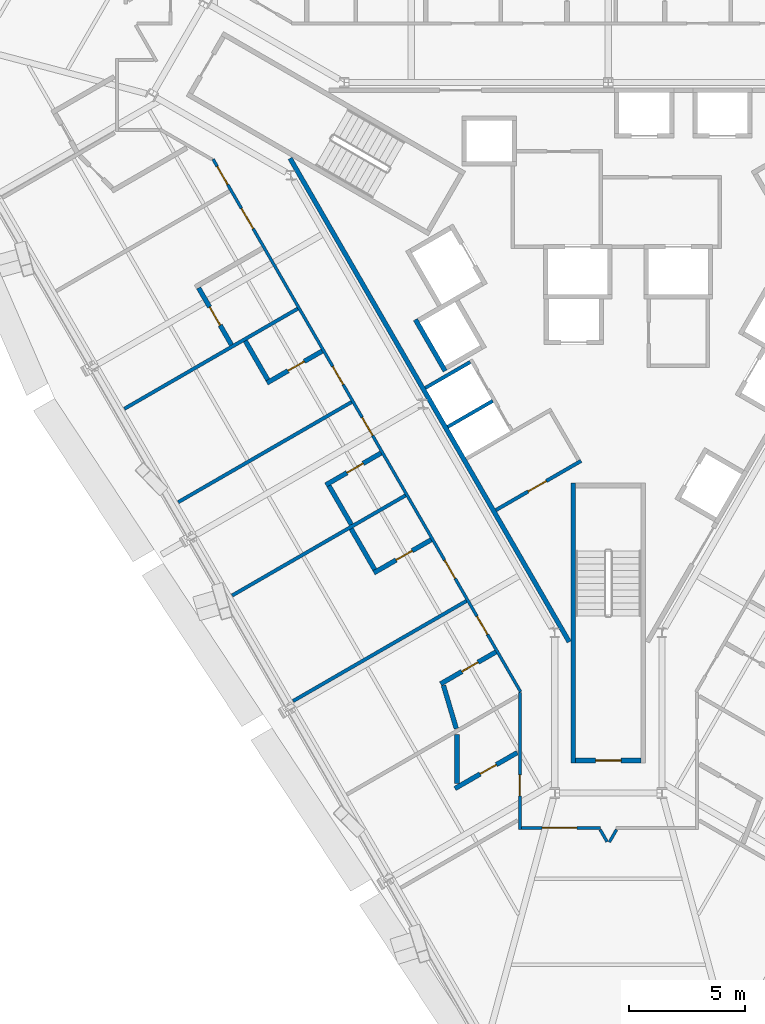
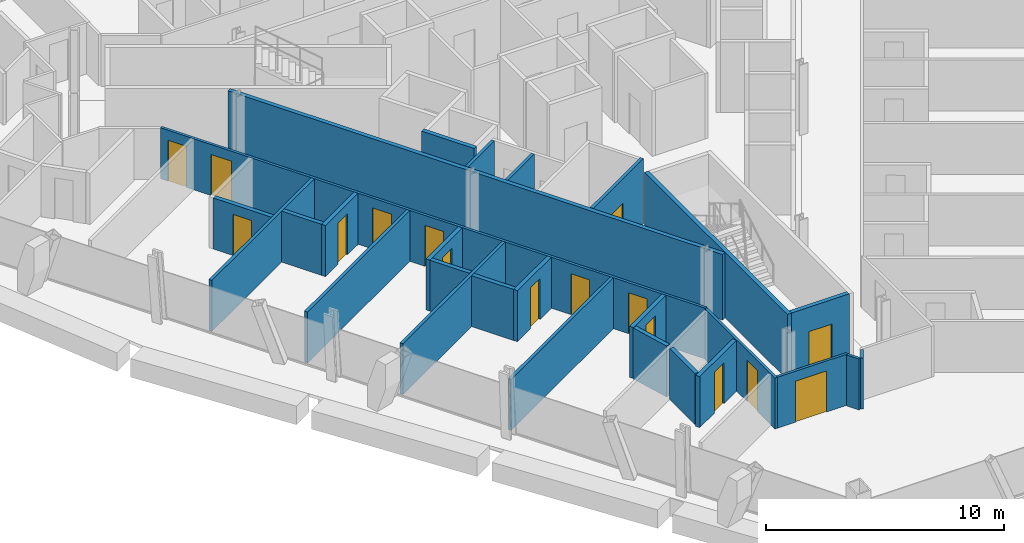
# One storey, part 8 of 15: 27 walls, 16 doors, 16 openings.
"""IFC4 building model written with IfcOpenShell, lengths in metres."""

from ifc_helpers import new_model, si_unit, direction, frame, frame_2d, origin, place, context, subcontext, project, spatial, rectangle, extrude, material, layer, layer_set, type_object, element, fill, save


model = new_model("IFC4")

# Units and contexts
model_context = context("Model", 3, precision=1e-05, world=origin(), true_north=direction((0.0, 1.0)))
body_context = subcontext(model_context, "Body", "Model", "MODEL_VIEW")
ifc_project = project(units=[si_unit("LENGTHUNIT", "METRE"), si_unit("AREAUNIT", "SQUARE_METRE"), si_unit("VOLUMEUNIT", "CUBIC_METRE"), si_unit("PLANEANGLEUNIT", "RADIAN"), si_unit("MASSUNIT", "GRAM", prefix="KILO")], contexts=[model_context])

# Site, building, storey
site_placement = place(None, origin())
site = spatial("IfcSite", under=ifc_project, at=site_placement, CompositionType="ELEMENT")
building_placement = place(site_placement, origin())
building = spatial("IfcBuilding", under=site, at=building_placement, Name="Verrane Prism Tower", CompositionType="ELEMENT")
storey_placement = place(building_placement, frame((0.0, 0.0, 44.0)))
storey = spatial("IfcBuildingStorey", under=building, at=storey_placement, Name="L08", CompositionType="ELEMENT", Elevation=44.0)

# Wall
ifc_material_1 = material(Name="Gypsum board partition", Category="other")
ifc_layer_1 = layer(ifc_material_1, 0.199951171875)
ifc_layer_set_1 = layer_set([ifc_layer_1], Name="CW-200 core boundary wall 2 h")
wall_type_1 = type_object("IfcWallType", Name="CW-200 core boundary wall 2 h", PredefinedType="PARTITIONING", material=ifc_layer_set_1)
wall_1_placement = place(storey_placement, frame((-13.66357421875, 5.946044921875, 0.0), z_axis=(0.0, 0.0, 1.0), x_axis=(0.499994327219, -0.866028678941, 0.0)))
element("IfcWall", 1, at=wall_1_placement, inside=storey, type_object=wall_type_1, Name="Core boundary wall CW3-008", PredefinedType="PARTITIONING", context=body_context, shape_type="SweptSolid", body=[
    extrude(rectangle(XDim=23.967529296875, YDim=0.199951171875, at=frame_2d((11.98388671875, 0.0))), origin(), (0.0, 0.0, 1.0), 3.35009765625),
])

# Wall, opening, door
ifc_material_2 = material(Name="Concrete C40/50", Category="concrete")
ifc_layer_2 = layer(ifc_material_2, 0.199951171875)
ifc_layer_set_2 = layer_set([ifc_layer_2], Name="CW-200 stair core wall concrete C40/50 3 h")
wall_type_2 = type_object("IfcWallType", Name="CW-200 stair core wall concrete C40/50 3 h", PredefinedType="PARTITIONING", material=ifc_layer_set_2)
wall_2_placement = place(storey_placement, frame((-1.39990234375, -19.89990234375, 0.0), z_axis=(0.0, 0.0, 1.0), x_axis=(1.0, 0.0, 0.0)))
wall_2 = element("IfcWall", 2, at=wall_2_placement, inside=storey, type_object=wall_type_2, Name="Stair 3 enclosure wall", PredefinedType="PARTITIONING", context=body_context, shape_type="SweptSolid", body=[
    extrude(rectangle(XDim=2.7998046875, YDim=0.199951171875, at=frame_2d((1.39990234375, 0.0))), origin(), (0.0, 0.0, 1.0), 3.35009765625),
])
opening_1_placement = place(wall_2_placement, frame((0.85009765625, 0.0, 0.0)))
opening_1 = element("IfcOpeningElement", 3, at=opening_1_placement, cuts=wall_2, Name="Opening D06502", PredefinedType="OPENING", context=body_context, shape_type="SweptSolid", body=[
    extrude(rectangle(XDim=1.10009765625, YDim=2.10009765625, at=frame_2d((0.550048828125, 1.050048828125))), frame((0.0, 0.10986328125, 0.0), z_axis=(0.0, -1.0, 0.0), x_axis=(1.0, 0.0, 0.0)), (0.0, 0.0, 1.0), 0.219970703125),
])
ifc_material_3 = material(Name="Timber veneered door leaf", Category="wood")
door_type_1 = type_object("IfcDoorType", Name="DR-1100x2100 FD90 single leaf stair", OperationType="NOTDEFINED", PredefinedType="DOOR", material=ifc_material_3)
door_1_placement = place(opening_1_placement, origin())
door_1 = element("IfcDoor", 4, at=door_1_placement, inside=storey, type_object=door_type_1, Name="Stair 3 door", OperationType="SINGLE_SWING_LEFT", OverallHeight=2.10009765625, OverallWidth=1.10009765625, PredefinedType="DOOR", context=body_context, shape_type="SweptSolid", body=[
    extrude(rectangle(XDim=1.10009765625, YDim=2.10009765625, at=frame_2d((0.550048828125, 1.050048828125))), frame((0.0, 0.02490234375, 0.0), z_axis=(0.0, -1.0, 0.0), x_axis=(1.0, 0.0, 0.0)), (0.0, 0.0, 1.0), 0.050048828125),
])
fill(opening_1, door_1)

# Walls
wall_3_placement = place(storey_placement, frame((-1.5, -8.0, 0.0), z_axis=(0.0, 0.0, 1.0), x_axis=(0.0, -1.0, 0.0)))
element("IfcWall", 5, at=wall_3_placement, inside=storey, type_object=wall_type_2, Name="Stair 3 enclosure wall", PredefinedType="PARTITIONING", context=body_context, shape_type="SweptSolid", body=[
    extrude(rectangle(XDim=12.0, YDim=0.199951171875, at=frame_2d((6.0, 0.0))), origin(), (0.0, 0.0, 1.0), 3.35009765625),
])
ifc_material_4 = material(Name="Gypsum board shaft wall assembly", Category="other")
ifc_layer_3 = layer(ifc_material_4, 0.199951171875)
ifc_layer_set_3 = layer_set([ifc_layer_3], Name="HW-200 lift shaft wall 2 h")
wall_type_3 = type_object("IfcWallType", Name="HW-200 lift shaft wall 2 h", PredefinedType="PARTITIONING", material=ifc_layer_set_3)
wall_4_placement = place(storey_placement, frame((-7.00634765625, -3.184814453125, 0.0), z_axis=(0.0, 0.0, 1.0), x_axis=(-0.499990435942, 0.866030925526, 0.0)))
element("IfcWall", 6, at=wall_4_placement, inside=storey, type_object=wall_type_3, Name="Lift shaft wall", PredefinedType="PARTITIONING", context=body_context, shape_type="SweptSolid", body=[
    extrude(rectangle(XDim=2.5498046875, YDim=0.199951171875, at=frame_2d((1.27490234375, 0.0))), origin(), (0.0, 0.0, 1.0), 3.60009765625),
])

# Wall, openings, doors
ifc_material_5 = material(Name="Gypsum board partition", Category="other")
ifc_layer_4 = layer(ifc_material_5, 0.125)
ifc_layer_set_4 = layer_set([ifc_layer_4], Name="PW-125 corridor wall 1 h")
wall_type_4 = type_object("IfcWallType", Name="PW-125 corridor wall 1 h", PredefinedType="PARTITIONING", material=ifc_layer_set_4)
wall_5_placement = place(storey_placement, frame((-3.765869140625, -16.9580078125, 0.0), z_axis=(0.0, 0.0, 1.0), x_axis=(-0.500024758804, 0.866011108811, 0.0)))
wall_5 = element("IfcWall", 7, at=wall_5_placement, inside=storey, type_object=wall_type_4, Name="Corridor wall 023", PredefinedType="PARTITIONING", context=body_context, shape_type="SweptSolid", body=[
    extrude(rectangle(XDim=26.401611328125, YDim=0.125, at=frame_2d((13.20068359375, 0.0))), origin(), (0.0, 0.0, 1.0), 2.613037109375),
])
opening_2_placement = place(wall_5_placement, frame((25.13916015625, 0.0, 0.0)))
opening_2 = element("IfcOpeningElement", 8, at=opening_2_placement, cuts=wall_5, Name="Opening D06019", PredefinedType="OPENING", context=body_context, shape_type="SweptSolid", body=[
    extrude(rectangle(XDim=0.89990234375, YDim=2.10009765625, at=frame_2d((0.449951171875, 1.050048828125))), frame((0.0, 0.072509765625, 0.0), z_axis=(0.0, -1.0, 0.0), x_axis=(1.0, 0.0, 0.0)), (0.0, 0.0, 1.0), 0.14501953125),
])
opening_3_placement = place(wall_5_placement, frame((22.96337890625, 0.0, 0.0)))
opening_3 = element("IfcOpeningElement", 9, at=opening_3_placement, cuts=wall_5, Name="Opening D06021", PredefinedType="OPENING", context=body_context, shape_type="SweptSolid", body=[
    extrude(rectangle(XDim=1.0, YDim=2.10009765625, at=frame_2d((0.5, 1.050048828125))), frame((0.0, 0.072509765625, 0.0), z_axis=(0.0, -1.0, 0.0), x_axis=(1.0, 0.0, 0.0)), (0.0, 0.0, 1.0), 0.14501953125),
])
opening_4_placement = place(wall_5_placement, frame((15.228271484375, 0.0, 0.0)))
opening_4 = element("IfcOpeningElement", 10, at=opening_4_placement, cuts=wall_5, Name="Opening D06023", PredefinedType="OPENING", context=body_context, shape_type="SweptSolid", body=[
    extrude(rectangle(XDim=0.89990234375, YDim=2.10009765625, at=frame_2d((0.449951171875, 1.050048828125))), frame((0.0, 0.072509765625, 0.0), z_axis=(0.0, -1.0, 0.0), x_axis=(1.0, 0.0, 0.0)), (0.0, 0.0, 1.0), 0.14501953125),
])
opening_5_placement = place(wall_5_placement, frame((12.702392578125, 0.0, 0.0)))
opening_5 = element("IfcOpeningElement", 11, at=opening_5_placement, cuts=wall_5, Name="Opening D06025", PredefinedType="OPENING", context=body_context, shape_type="SweptSolid", body=[
    extrude(rectangle(XDim=0.89990234375, YDim=2.10009765625, at=frame_2d((0.449951171875, 1.050048828125))), frame((0.0, 0.072509765625, 0.0), z_axis=(0.0, -1.0, 0.0), x_axis=(1.0, 0.0, 0.0)), (0.0, 0.0, 1.0), 0.14501953125),
])
opening_6_placement = place(wall_5_placement, frame((5.624267578125, 0.0, 0.0)))
opening_6 = element("IfcOpeningElement", 12, at=opening_6_placement, cuts=wall_5, Name="Opening D06027", PredefinedType="OPENING", context=body_context, shape_type="SweptSolid", body=[
    extrude(rectangle(XDim=0.89990234375, YDim=2.10009765625, at=frame_2d((0.449951171875, 1.050048828125))), frame((0.0, 0.072509765625, 0.0), z_axis=(0.0, -1.0, 0.0), x_axis=(1.0, 0.0, 0.0)), (0.0, 0.0, 1.0), 0.14501953125),
])
opening_7_placement = place(wall_5_placement, frame((2.84326171875, 0.0, 0.0)))
opening_7 = element("IfcOpeningElement", 13, at=opening_7_placement, cuts=wall_5, Name="Opening D06029", PredefinedType="OPENING", context=body_context, shape_type="SweptSolid", body=[
    extrude(rectangle(XDim=0.89990234375, YDim=2.10009765625, at=frame_2d((0.449951171875, 1.050048828125))), frame((0.0, 0.072509765625, 0.0), z_axis=(0.0, -1.0, 0.0), x_axis=(1.0, 0.0, 0.0)), (0.0, 0.0, 1.0), 0.14501953125),
])
ifc_material_6 = material(Name="Timber veneered door leaf", Category="wood")
door_type_2 = type_object("IfcDoorType", Name="DR-1000x2100 FD20 single leaf unit", OperationType="NOTDEFINED", PredefinedType="DOOR", material=ifc_material_6)
door_2_placement = place(opening_3_placement, origin())
door_2 = element("IfcDoor", 14, at=door_2_placement, inside=storey, type_object=door_type_2, Name="Accessible Guest Room door", OperationType="SINGLE_SWING_RIGHT", OverallHeight=2.10009765625, OverallWidth=1.0, PredefinedType="DOOR", context=body_context, shape_type="SweptSolid", body=[
    extrude(rectangle(XDim=1.0, YDim=2.10009765625, at=frame_2d((0.5, 1.050048828125))), frame((0.0, 0.02490234375, 0.0), z_axis=(0.0, -1.0, 0.0), x_axis=(1.0, 0.0, 0.0)), (0.0, 0.0, 1.0), 0.050048828125),
])
fill(opening_3, door_2)
ifc_material_7 = material(Name="Timber veneered door leaf", Category="wood")
door_type_3 = type_object("IfcDoorType", Name="DR-900x2100 FD20 single leaf unit", OperationType="NOTDEFINED", PredefinedType="DOOR", material=ifc_material_7)
door_3_placement = place(opening_2_placement, origin())
door_3 = element("IfcDoor", 15, at=door_3_placement, inside=storey, type_object=door_type_3, Name="Guest Room door", OperationType="SINGLE_SWING_RIGHT", OverallHeight=2.10009765625, OverallWidth=0.89990234375, PredefinedType="DOOR", context=body_context, shape_type="SweptSolid", body=[
    extrude(rectangle(XDim=0.89990234375, YDim=2.10009765625, at=frame_2d((0.449951171875, 1.050048828125))), frame((0.0, 0.02490234375, 0.0), z_axis=(0.0, -1.0, 0.0), x_axis=(1.0, 0.0, 0.0)), (0.0, 0.0, 1.0), 0.050048828125),
])
fill(opening_2, door_3)
door_4_placement = place(opening_4_placement, origin())
door_4 = element("IfcDoor", 16, at=door_4_placement, inside=storey, type_object=door_type_3, Name="Guest Room door", OperationType="SINGLE_SWING_RIGHT", OverallHeight=2.10009765625, OverallWidth=0.89990234375, PredefinedType="DOOR", context=body_context, shape_type="SweptSolid", body=[
    extrude(rectangle(XDim=0.89990234375, YDim=2.10009765625, at=frame_2d((0.449951171875, 1.050048828125))), frame((0.0, 0.02490234375, 0.0), z_axis=(0.0, -1.0, 0.0), x_axis=(1.0, 0.0, 0.0)), (0.0, 0.0, 1.0), 0.050048828125),
])
fill(opening_4, door_4)
door_5_placement = place(opening_5_placement, origin())
door_5 = element("IfcDoor", 17, at=door_5_placement, inside=storey, type_object=door_type_3, Name="Guest Room door", OperationType="SINGLE_SWING_RIGHT", OverallHeight=2.10009765625, OverallWidth=0.89990234375, PredefinedType="DOOR", context=body_context, shape_type="SweptSolid", body=[
    extrude(rectangle(XDim=0.89990234375, YDim=2.10009765625, at=frame_2d((0.449951171875, 1.050048828125))), frame((0.0, 0.02490234375, 0.0), z_axis=(0.0, -1.0, 0.0), x_axis=(1.0, 0.0, 0.0)), (0.0, 0.0, 1.0), 0.050048828125),
])
fill(opening_5, door_5)
door_6_placement = place(opening_6_placement, origin())
door_6 = element("IfcDoor", 18, at=door_6_placement, inside=storey, type_object=door_type_3, Name="Guest Room door", OperationType="SINGLE_SWING_RIGHT", OverallHeight=2.10009765625, OverallWidth=0.89990234375, PredefinedType="DOOR", context=body_context, shape_type="SweptSolid", body=[
    extrude(rectangle(XDim=0.89990234375, YDim=2.10009765625, at=frame_2d((0.449951171875, 1.050048828125))), frame((0.0, 0.02490234375, 0.0), z_axis=(0.0, -1.0, 0.0), x_axis=(1.0, 0.0, 0.0)), (0.0, 0.0, 1.0), 0.050048828125),
])
fill(opening_6, door_6)
door_7_placement = place(opening_7_placement, origin())
door_7 = element("IfcDoor", 19, at=door_7_placement, inside=storey, type_object=door_type_3, Name="Guest Room door", OperationType="SINGLE_SWING_RIGHT", OverallHeight=2.10009765625, OverallWidth=0.89990234375, PredefinedType="DOOR", context=body_context, shape_type="SweptSolid", body=[
    extrude(rectangle(XDim=0.89990234375, YDim=2.10009765625, at=frame_2d((0.449951171875, 1.050048828125))), frame((0.0, 0.02490234375, 0.0), z_axis=(0.0, -1.0, 0.0), x_axis=(1.0, 0.0, 0.0)), (0.0, 0.0, 1.0), 0.050048828125),
])
fill(opening_7, door_7)

# Wall, opening, door
wall_6_placement = place(storey_placement, frame((-3.797119140625, -22.859619140625, 0.0), z_axis=(0.0, 0.0, 1.0), x_axis=(0.0, 1.0, 0.0)))
wall_6 = element("IfcWall", 20, at=wall_6_placement, inside=storey, type_object=wall_type_4, Name="Corridor wall 048", PredefinedType="PARTITIONING", context=body_context, shape_type="SweptSolid", body=[
    extrude(rectangle(XDim=5.87060546875, YDim=0.125, at=frame_2d((2.935302734375, 0.0))), origin(), (0.0, 0.0, 1.0), 2.613037109375),
])
opening_8_placement = place(wall_6_placement, frame((1.4423828125, 0.0, 0.0)))
opening_8 = element("IfcOpeningElement", 21, at=opening_8_placement, cuts=wall_6, Name="Opening D06031", PredefinedType="OPENING", context=body_context, shape_type="SweptSolid", body=[
    extrude(rectangle(XDim=0.89990234375, YDim=2.10009765625, at=frame_2d((0.449951171875, 1.050048828125))), frame((0.0, 0.072509765625, 0.0), z_axis=(0.0, -1.0, 0.0), x_axis=(1.0, 0.0, 0.0)), (0.0, 0.0, 1.0), 0.14501953125),
])
door_8_placement = place(opening_8_placement, origin())
door_8 = element("IfcDoor", 22, at=door_8_placement, inside=storey, type_object=door_type_3, Name="Guest Room door", OperationType="SINGLE_SWING_LEFT", OverallHeight=2.10009765625, OverallWidth=0.89990234375, PredefinedType="DOOR", context=body_context, shape_type="SweptSolid", body=[
    extrude(rectangle(XDim=0.89990234375, YDim=2.10009765625, at=frame_2d((0.449951171875, 1.050048828125))), frame((0.0, 0.02490234375, 0.0), z_axis=(0.0, -1.0, 0.0), x_axis=(1.0, 0.0, 0.0)), (0.0, 0.0, 1.0), 0.050048828125),
])
fill(opening_8, door_8)

wall_7_placement = place(storey_placement, frame((-0.33251953125, -22.797119140625, 0.0), z_axis=(0.0, 0.0, 1.0), x_axis=(-1.0, 0.0, 0.0)))
wall_7 = element("IfcWall", 23, at=wall_7_placement, inside=storey, type_object=wall_type_4, Name="Corridor wall 049", PredefinedType="PARTITIONING", context=body_context, shape_type="SweptSolid", body=[
    extrude(rectangle(XDim=3.3994140625, YDim=0.125, at=frame_2d((1.69970703125, 0.0))), origin(), (0.0, 0.0, 1.0), 2.613037109375),
])
opening_9_placement = place(wall_7_placement, frame((1.014404296875, 0.0, 0.0)))
opening_9 = element("IfcOpeningElement", 24, at=opening_9_placement, cuts=wall_7, Name="Opening D06033", PredefinedType="OPENING", context=body_context, shape_type="SweptSolid", body=[
    extrude(rectangle(XDim=1.5, YDim=2.10009765625, at=frame_2d((0.75, 1.050048828125))), frame((0.0, 0.072509765625, 0.0), z_axis=(0.0, -1.0, 0.0), x_axis=(1.0, 0.0, 0.0)), (0.0, 0.0, 1.0), 0.14501953125),
])
ifc_material_8 = material(Name="Timber veneered door leaf", Category="wood")
door_type_4 = type_object("IfcDoorType", Name="DR-1500x2100 FD20 double leaf public", OperationType="NOTDEFINED", PredefinedType="DOOR", material=ifc_material_8)
door_9_placement = place(opening_9_placement, origin())
door_9 = element("IfcDoor", 25, at=door_9_placement, inside=storey, type_object=door_type_4, Name="Boardroom door", OperationType="DOUBLE_DOOR_SINGLE_SWING", OverallHeight=2.10009765625, OverallWidth=1.5, PredefinedType="DOOR", context=body_context, shape_type="SweptSolid", body=[
    extrude(rectangle(XDim=1.5, YDim=2.10009765625, at=frame_2d((0.75, 1.050048828125))), frame((0.0, 0.02490234375, 0.0), z_axis=(0.0, -1.0, 0.0), x_axis=(1.0, 0.0, 0.0)), (0.0, 0.0, 1.0), 0.050048828125),
])
fill(opening_9, door_9)

# Walls
wall_8_placement = place(storey_placement, frame((-0.3525390625, -22.87060546875, 0.0), z_axis=(0.0, 0.0, 1.0), x_axis=(0.499863517517, -0.866104187645, 0.0)))
element("IfcWall", 26, at=wall_8_placement, inside=storey, type_object=wall_type_4, Name="Corridor wall 052", PredefinedType="PARTITIONING", context=body_context, shape_type="SweptSolid", body=[
    extrude(rectangle(XDim=0.599365234375, YDim=0.125, at=frame_2d((0.2998046875, 0.0))), origin(), (0.0, 0.0, 1.0), 2.613037109375),
])
wall_9_placement = place(storey_placement, frame((0.04296875, -23.406982421875, 0.0), z_axis=(0.0, 0.0, 1.0), x_axis=(0.499870333213, 0.866100253997, 0.0)))
element("IfcWall", 27, at=wall_9_placement, inside=storey, type_object=wall_type_4, Name="Corridor wall 053", PredefinedType="PARTITIONING", context=body_context, shape_type="SweptSolid", body=[
    extrude(rectangle(XDim=0.619384765625, YDim=0.125, at=frame_2d((0.3095703125, 0.0))), origin(), (0.0, 0.0, 1.0), 2.613037109375),
])
ifc_material_9 = material(Name="Gypsum board partition", Category="other")
ifc_layer_5 = layer(ifc_material_9, 0.14990234375)
ifc_layer_set_5 = layer_set([ifc_layer_5], Name="PW-150 demising wall 1 h")
wall_type_5 = type_object("IfcWallType", Name="PW-150 demising wall 1 h", PredefinedType="PARTITIONING", material=ifc_layer_set_5)
wall_10_placement = place(storey_placement, frame((-20.77490234375, -4.80615234375, 0.0), z_axis=(0.0, 0.0, 1.0), x_axis=(0.865995804368, 0.50005126419, 0.0)))
element("IfcWall", 28, at=wall_10_placement, inside=storey, type_object=wall_type_5, Name="Demising wall 010", PredefinedType="PARTITIONING", context=body_context, shape_type="SweptSolid", body=[
    extrude(rectangle(XDim=8.5908203125, YDim=0.14990234375, at=frame_2d((4.29541015625, 0.0))), origin(), (0.0, 0.0, 1.0), 2.613037109375),
])
wall_11_placement = place(storey_placement, frame((-18.461669921875, -8.81298828125, 0.0), z_axis=(0.0, 0.0, 1.0), x_axis=(0.866029425019, 0.499993034952, 0.0)))
element("IfcWall", 29, at=wall_11_placement, inside=storey, type_object=wall_type_5, Name="Demising wall 020", PredefinedType="PARTITIONING", context=body_context, shape_type="SweptSolid", body=[
    extrude(rectangle(XDim=8.59130859375, YDim=0.14990234375, at=frame_2d((4.295654296875, 0.0))), origin(), (0.0, 0.0, 1.0), 2.613037109375),
])
wall_12_placement = place(storey_placement, frame((-16.147705078125, -12.82080078125, 0.0), z_axis=(0.0, 0.0, 1.0), x_axis=(0.866036528751, 0.499980730498, 0.0)))
element("IfcWall", 30, at=wall_12_placement, inside=storey, type_object=wall_type_5, Name="Demising wall 024", PredefinedType="PARTITIONING", context=body_context, shape_type="SweptSolid", body=[
    extrude(rectangle(XDim=8.591552734375, YDim=0.14990234375, at=frame_2d((4.2958984375, 0.0))), origin(), (0.0, 0.0, 1.0), 2.613037109375),
])
wall_13_placement = place(storey_placement, frame((-13.531982421875, -17.35107421875, 0.0), z_axis=(0.0, 0.0, 1.0), x_axis=(0.866002910178, 0.500038958046, 0.0)))
element("IfcWall", 31, at=wall_13_placement, inside=storey, type_object=wall_type_5, Name="Demising wall 031", PredefinedType="PARTITIONING", context=body_context, shape_type="SweptSolid", body=[
    extrude(rectangle(XDim=8.591064453125, YDim=0.14990234375, at=frame_2d((4.29541015625, 0.0))), origin(), (0.0, 0.0, 1.0), 2.613037109375),
])

# Wall, opening, door
ifc_material_10 = material(Name="Gypsum board partition", Category="other")
ifc_layer_6 = layer(ifc_material_10, 0.199951171875)
ifc_layer_set_6 = layer_set([ifc_layer_6], Name="PW-200 plumbing wall")
wall_type_6 = type_object("IfcWallType", Name="PW-200 plumbing wall", PredefinedType="PARTITIONING", material=ifc_layer_set_6)
wall_14_placement = place(storey_placement, frame((-17.587890625, 0.38232421875, 0.0), z_axis=(0.0, 0.0, 1.0), x_axis=(0.499984757355, -0.866034203951, 0.0)))
wall_14 = element("IfcWall", 32, at=wall_14_placement, inside=storey, type_object=wall_type_6, Name="Plumbing wall 021", PredefinedType="PARTITIONING", context=body_context, shape_type="SweptSolid", body=[
    extrude(rectangle(XDim=2.81982421875, YDim=0.199951171875, at=frame_2d((1.409912109375, 0.0))), origin(), (0.0, 0.0, 1.0), 2.613037109375),
])
opening_10_placement = place(wall_14_placement, frame((0.949951171875, 0.0, 0.0)))
opening_10 = element("IfcOpeningElement", 33, at=opening_10_placement, cuts=wall_14, Name="Opening D06022", PredefinedType="OPENING", context=body_context, shape_type="SweptSolid", body=[
    extrude(rectangle(XDim=0.89990234375, YDim=2.10009765625, at=frame_2d((0.449951171875, 1.050048828125))), frame((0.0, 0.10986328125, 0.0), z_axis=(0.0, -1.0, 0.0), x_axis=(1.0, 0.0, 0.0)), (0.0, 0.0, 1.0), 0.219970703125),
])
ifc_material_11 = material(Name="Timber veneered door leaf", Category="wood")
door_type_5 = type_object("IfcDoorType", Name="DR-900x2100 single leaf bath", OperationType="NOTDEFINED", PredefinedType="DOOR", material=ifc_material_11)
door_10_placement = place(opening_10_placement, origin())
door_10 = element("IfcDoor", 34, at=door_10_placement, inside=storey, type_object=door_type_5, Name="En-Suite door", OperationType="SINGLE_SWING_RIGHT", OverallHeight=2.10009765625, OverallWidth=0.89990234375, PredefinedType="DOOR", context=body_context, shape_type="SweptSolid", body=[
    extrude(rectangle(XDim=0.89990234375, YDim=2.10009765625, at=frame_2d((0.449951171875, 1.050048828125))), frame((0.0, 0.02490234375, 0.0), z_axis=(0.0, -1.0, 0.0), x_axis=(1.0, 0.0, 0.0)), (0.0, 0.0, 1.0), 0.050048828125),
])
fill(opening_10, door_10)

# Wall
wall_15_placement = place(storey_placement, frame((-15.58154296875, -1.89404296875, 0.0), z_axis=(0.0, 0.0, 1.0), x_axis=(0.500026156197, -0.86601030197, 0.0)))
element("IfcWall", 35, at=wall_15_placement, inside=storey, type_object=wall_type_6, Name="Plumbing wall 028", PredefinedType="PARTITIONING", context=body_context, shape_type="SweptSolid", body=[
    extrude(rectangle(XDim=1.92529296875, YDim=0.199951171875, at=frame_2d((0.962646484375, 0.0))), origin(), (0.0, 0.0, 1.0), 2.613037109375),
])

# Wall, opening, door
wall_16_placement = place(storey_placement, frame((-14.655517578125, -3.697998046875, 0.0), z_axis=(0.0, 0.0, 1.0), x_axis=(0.866005850709, 0.50003386539, 0.0)))
wall_16 = element("IfcWall", 36, at=wall_16_placement, inside=storey, type_object=wall_type_6, Name="Plumbing wall 029", PredefinedType="PARTITIONING", context=body_context, shape_type="SweptSolid", body=[
    extrude(rectangle(XDim=2.737060546875, YDim=0.199951171875, at=frame_2d((1.36865234375, 0.0))), origin(), (0.0, 0.0, 1.0), 2.613037109375),
])
opening_11_placement = place(wall_16_placement, frame((1.050048828125, 0.0, 0.0)))
opening_11 = element("IfcOpeningElement", 37, at=opening_11_placement, cuts=wall_16, Name="Opening D06024", PredefinedType="OPENING", context=body_context, shape_type="SweptSolid", body=[
    extrude(rectangle(XDim=0.800048828125, YDim=2.10009765625, at=frame_2d((0.39990234375, 1.050048828125))), frame((0.0, 0.10986328125, 0.0), z_axis=(0.0, -1.0, 0.0), x_axis=(1.0, 0.0, 0.0)), (0.0, 0.0, 1.0), 0.219970703125),
])
ifc_material_12 = material(Name="Timber veneered door leaf", Category="wood")
door_type_6 = type_object("IfcDoorType", Name="DR-800x2100 single leaf bath", OperationType="NOTDEFINED", PredefinedType="DOOR", material=ifc_material_12)
door_11_placement = place(opening_11_placement, origin())
door_11 = element("IfcDoor", 38, at=door_11_placement, inside=storey, type_object=door_type_6, Name="En-Suite door", OperationType="SINGLE_SWING_RIGHT", OverallHeight=2.10009765625, OverallWidth=0.800048828125, PredefinedType="DOOR", context=body_context, shape_type="SweptSolid", body=[
    extrude(rectangle(XDim=0.800048828125, YDim=2.10009765625, at=frame_2d((0.39990234375, 1.050048828125))), frame((0.0, 0.02490234375, 0.0), z_axis=(0.0, -1.0, 0.0), x_axis=(1.0, 0.0, 0.0)), (0.0, 0.0, 1.0), 0.050048828125),
])
fill(opening_11, door_11)

# Wall
wall_17_placement = place(storey_placement, frame((-11.990966796875, -8.111572265625, 0.0), z_axis=(0.0, 0.0, 1.0), x_axis=(0.499913221443, -0.866075499611, 0.0)))
element("IfcWall", 39, at=wall_17_placement, inside=storey, type_object=wall_type_6, Name="Plumbing wall 034", PredefinedType="PARTITIONING", context=body_context, shape_type="SweptSolid", body=[
    extrude(rectangle(XDim=1.920166015625, YDim=0.199951171875, at=frame_2d((0.9599609375, 0.0))), origin(), (0.0, 0.0, 1.0), 2.613037109375),
])

# Wall, opening, door
wall_18_placement = place(storey_placement, frame((-9.761474609375, -6.708740234375, 0.0), z_axis=(0.0, 0.0, 1.0), x_axis=(-0.866012976267, -0.500021524473, 0.0)))
wall_18 = element("IfcWall", 40, at=wall_18_placement, inside=storey, type_object=wall_type_6, Name="Plumbing wall 035", PredefinedType="PARTITIONING", context=body_context, shape_type="SweptSolid", body=[
    extrude(rectangle(XDim=2.732421875, YDim=0.199951171875, at=frame_2d((1.3662109375, 0.0))), origin(), (0.0, 0.0, 1.0), 2.613037109375),
])
opening_12_placement = place(wall_18_placement, frame((0.88232421875, 0.0, 0.0)))
opening_12 = element("IfcOpeningElement", 41, at=opening_12_placement, cuts=wall_18, Name="Opening D06026", PredefinedType="OPENING", context=body_context, shape_type="SweptSolid", body=[
    extrude(rectangle(XDim=0.800048828125, YDim=2.10009765625, at=frame_2d((0.39990234375, 1.050048828125))), frame((0.0, 0.10986328125, 0.0), z_axis=(0.0, -1.0, 0.0), x_axis=(1.0, 0.0, 0.0)), (0.0, 0.0, 1.0), 0.219970703125),
])
door_12_placement = place(opening_12_placement, origin())
door_12 = element("IfcDoor", 42, at=door_12_placement, inside=storey, type_object=door_type_6, Name="En-Suite door", OperationType="SINGLE_SWING_LEFT", OverallHeight=2.10009765625, OverallWidth=0.800048828125, PredefinedType="DOOR", context=body_context, shape_type="SweptSolid", body=[
    extrude(rectangle(XDim=0.800048828125, YDim=2.10009765625, at=frame_2d((0.39990234375, 1.050048828125))), frame((0.0, 0.02490234375, 0.0), z_axis=(0.0, -1.0, 0.0), x_axis=(1.0, 0.0, 0.0)), (0.0, 0.0, 1.0), 0.050048828125),
])
fill(opening_12, door_12)

# Wall
wall_19_placement = place(storey_placement, frame((-11.04052734375, -9.958984375, 0.0), z_axis=(0.0, 0.0, 1.0), x_axis=(0.500042536776, -0.866000843773, 0.0)))
element("IfcWall", 43, at=wall_19_placement, inside=storey, type_object=wall_type_6, Name="Plumbing wall 037", PredefinedType="PARTITIONING", context=body_context, shape_type="SweptSolid", body=[
    extrude(rectangle(XDim=2.024658203125, YDim=0.199951171875, at=frame_2d((1.01220703125, 0.0))), origin(), (0.0, 0.0, 1.0), 2.613037109375),
])

# Wall, opening, door
wall_20_placement = place(storey_placement, frame((-10.064697265625, -11.848876953125, 0.0), z_axis=(0.0, 0.0, 1.0), x_axis=(0.866048046904, 0.499960778915, 0.0)))
wall_20 = element("IfcWall", 44, at=wall_20_placement, inside=storey, type_object=wall_type_6, Name="Plumbing wall 040", PredefinedType="PARTITIONING", context=body_context, shape_type="SweptSolid", body=[
    extrude(rectangle(XDim=2.837646484375, YDim=0.199951171875, at=frame_2d((1.4189453125, 0.0))), origin(), (0.0, 0.0, 1.0), 2.613037109375),
])
opening_13_placement = place(wall_20_placement, frame((1.10009765625, 0.0, 0.0)))
opening_13 = element("IfcOpeningElement", 45, at=opening_13_placement, cuts=wall_20, Name="Opening D06028", PredefinedType="OPENING", context=body_context, shape_type="SweptSolid", body=[
    extrude(rectangle(XDim=0.800048828125, YDim=2.10009765625, at=frame_2d((0.39990234375, 1.050048828125))), frame((0.0, 0.10986328125, 0.0), z_axis=(0.0, -1.0, 0.0), x_axis=(1.0, 0.0, 0.0)), (0.0, 0.0, 1.0), 0.219970703125),
])
door_13_placement = place(opening_13_placement, origin())
door_13 = element("IfcDoor", 46, at=door_13_placement, inside=storey, type_object=door_type_6, Name="En-Suite door", OperationType="SINGLE_SWING_RIGHT", OverallHeight=2.10009765625, OverallWidth=0.800048828125, PredefinedType="DOOR", context=body_context, shape_type="SweptSolid", body=[
    extrude(rectangle(XDim=0.800048828125, YDim=2.10009765625, at=frame_2d((0.39990234375, 1.050048828125))), frame((0.0, 0.02490234375, 0.0), z_axis=(0.0, -1.0, 0.0), x_axis=(1.0, 0.0, 0.0)), (0.0, 0.0, 1.0), 0.050048828125),
])
fill(opening_13, door_13)

# Wall
wall_21_placement = place(storey_placement, frame((-7.077880859375, -16.677978515625, 0.0), z_axis=(0.0, 0.0, 1.0), x_axis=(0.284907685531, -0.958554959679, 0.0)))
element("IfcWall", 47, at=wall_21_placement, inside=storey, type_object=wall_type_6, Name="Plumbing wall 043", PredefinedType="PARTITIONING", context=body_context, shape_type="SweptSolid", body=[
    extrude(rectangle(XDim=1.9375, YDim=0.199951171875, at=frame_2d((0.96875, 0.0))), origin(), (0.0, 0.0, 1.0), 2.613037109375),
])

# Wall, opening, door
wall_22_placement = place(storey_placement, frame((-4.828125, -15.244140625, 0.0), z_axis=(0.0, 0.0, 1.0), x_axis=(-0.86596722502, -0.50010075504, 0.0)))
wall_22 = element("IfcWall", 48, at=wall_22_placement, inside=storey, type_object=wall_type_6, Name="Plumbing wall 044", PredefinedType="PARTITIONING", context=body_context, shape_type="SweptSolid", body=[
    extrude(rectangle(XDim=2.7373046875, YDim=0.199951171875, at=frame_2d((1.36865234375, 0.0))), origin(), (0.0, 0.0, 1.0), 2.613037109375),
])
opening_14_placement = place(wall_22_placement, frame((0.88720703125, 0.0, 0.0)))
opening_14 = element("IfcOpeningElement", 49, at=opening_14_placement, cuts=wall_22, Name="Opening D06030", PredefinedType="OPENING", context=body_context, shape_type="SweptSolid", body=[
    extrude(rectangle(XDim=0.800048828125, YDim=2.10009765625, at=frame_2d((0.39990234375, 1.050048828125))), frame((0.0, 0.10986328125, 0.0), z_axis=(0.0, -1.0, 0.0), x_axis=(1.0, 0.0, 0.0)), (0.0, 0.0, 1.0), 0.219970703125),
])
door_14_placement = place(opening_14_placement, origin())
door_14 = element("IfcDoor", 50, at=door_14_placement, inside=storey, type_object=door_type_6, Name="En-Suite door", OperationType="SINGLE_SWING_LEFT", OverallHeight=2.10009765625, OverallWidth=0.800048828125, PredefinedType="DOOR", context=body_context, shape_type="SweptSolid", body=[
    extrude(rectangle(XDim=0.800048828125, YDim=2.10009765625, at=frame_2d((0.39990234375, 1.050048828125))), frame((0.0, 0.02490234375, 0.0), z_axis=(0.0, -1.0, 0.0), x_axis=(1.0, 0.0, 0.0)), (0.0, 0.0, 1.0), 0.050048828125),
])
fill(opening_14, door_14)

# Wall
wall_23_placement = place(storey_placement, frame((-6.4970703125, -20.886962890625, 0.0), z_axis=(0.0, 0.0, 1.0), x_axis=(0.0, 1.0, 0.0)))
element("IfcWall", 51, at=wall_23_placement, inside=storey, type_object=wall_type_6, Name="Plumbing wall 045", PredefinedType="PARTITIONING", context=body_context, shape_type="SweptSolid", body=[
    extrude(rectangle(XDim=2.110595703125, YDim=0.199951171875, at=frame_2d((1.05517578125, 0.0))), origin(), (0.0, 0.0, 1.0), 2.613037109375),
])

# Wall, opening, door
wall_24_placement = place(storey_placement, frame((-6.58349609375, -21.10693359375, 0.0), z_axis=(0.0, 0.0, 1.0), x_axis=(0.866015731669, 0.500016752221, 0.0)))
wall_24 = element("IfcWall", 52, at=wall_24_placement, inside=storey, type_object=wall_type_6, Name="Plumbing wall 046", PredefinedType="PARTITIONING", context=body_context, shape_type="SweptSolid", body=[
    extrude(rectangle(XDim=3.087890625, YDim=0.199951171875, at=frame_2d((1.5439453125, 0.0))), origin(), (0.0, 0.0, 1.0), 2.613037109375),
])
opening_15_placement = place(wall_24_placement, frame((1.25, 0.0, 0.0)))
opening_15 = element("IfcOpeningElement", 53, at=opening_15_placement, cuts=wall_24, Name="Opening D06032", PredefinedType="OPENING", context=body_context, shape_type="SweptSolid", body=[
    extrude(rectangle(XDim=0.800048828125, YDim=2.10009765625, at=frame_2d((0.39990234375, 1.050048828125))), frame((0.0, 0.10986328125, 0.0), z_axis=(0.0, -1.0, 0.0), x_axis=(1.0, 0.0, 0.0)), (0.0, 0.0, 1.0), 0.219970703125),
])
door_15_placement = place(opening_15_placement, origin())
door_15 = element("IfcDoor", 54, at=door_15_placement, inside=storey, type_object=door_type_6, Name="En-Suite door", OperationType="SINGLE_SWING_RIGHT", OverallHeight=2.10009765625, OverallWidth=0.800048828125, PredefinedType="DOOR", context=body_context, shape_type="SweptSolid", body=[
    extrude(rectangle(XDim=0.800048828125, YDim=2.10009765625, at=frame_2d((0.39990234375, 1.050048828125))), frame((0.0, 0.02490234375, 0.0), z_axis=(0.0, -1.0, 0.0), x_axis=(1.0, 0.0, 0.0)), (0.0, 0.0, 1.0), 0.050048828125),
])
fill(opening_15, door_15)

# Walls
ifc_material_13 = material(Name="Gypsum board partition", Category="other")
ifc_layer_7 = layer(ifc_material_13, 0.14990234375)
ifc_layer_set_7 = layer_set([ifc_layer_7], Name="RS-150 riser enclosure wall 1 h")
wall_type_7 = type_object("IfcWallType", Name="RS-150 riser enclosure wall 1 h", PredefinedType="PARTITIONING", material=ifc_layer_set_7)
wall_25_placement = place(storey_placement, frame((-7.8564453125, -3.912109375, 0.0), z_axis=(0.0, 0.0, 1.0), x_axis=(0.865971748, 0.500092923031, 0.0)))
element("IfcWall", 55, at=wall_25_placement, inside=storey, type_object=wall_type_7, Name="Riser wall RS3-013", PredefinedType="PARTITIONING", context=body_context, shape_type="SweptSolid", body=[
    extrude(rectangle(XDim=2.224609375, YDim=0.14990234375, at=frame_2d((1.1123046875, 0.0))), origin(), (0.0, 0.0, 1.0), 3.35009765625),
])
wall_26_placement = place(storey_placement, frame((-6.892333984375, -5.58203125, 0.0), z_axis=(0.0, 0.0, 1.0), x_axis=(0.865944298464, 0.500140452231, 0.0)))
element("IfcWall", 56, at=wall_26_placement, inside=storey, type_object=wall_type_7, Name="Riser wall RS3-014", PredefinedType="PARTITIONING", context=body_context, shape_type="SweptSolid", body=[
    extrude(rectangle(XDim=2.224365234375, YDim=0.14990234375, at=frame_2d((1.1123046875, 0.0))), origin(), (0.0, 0.0, 1.0), 3.35009765625),
])

# Wall, opening, door
wall_27_placement = place(storey_placement, frame((-4.824951171875, -9.153564453125, 0.0), z_axis=(0.0, 0.0, 1.0), x_axis=(0.866023738697, 0.500002884005, 0.0)))
wall_27 = element("IfcWall", 57, at=wall_27_placement, inside=storey, type_object=wall_type_7, Name="Riser wall RS3-017", PredefinedType="PARTITIONING", context=body_context, shape_type="SweptSolid", body=[
    extrude(rectangle(XDim=4.22021484375, YDim=0.14990234375, at=frame_2d((2.110107421875, 0.0))), origin(), (0.0, 0.0, 1.0), 3.35009765625),
])
opening_16_placement = place(wall_27_placement, frame((1.594970703125, 0.0, 0.0)))
opening_16 = element("IfcOpeningElement", 58, at=opening_16_placement, cuts=wall_27, Name="Opening D06527", PredefinedType="OPENING", context=body_context, shape_type="SweptSolid", body=[
    extrude(rectangle(XDim=0.89990234375, YDim=2.10009765625, at=frame_2d((0.449951171875, 1.050048828125))), frame((0.0, 0.0849609375, 0.0), z_axis=(0.0, -1.0, 0.0), x_axis=(1.0, 0.0, 0.0)), (0.0, 0.0, 1.0), 0.169921875),
])
ifc_material_14 = material(Name="Timber veneered door leaf", Category="wood")
door_type_7 = type_object("IfcDoorType", Name="DR-900x2100 FD20 single leaf store", OperationType="NOTDEFINED", PredefinedType="DOOR", material=ifc_material_14)
door_16_placement = place(opening_16_placement, origin())
door_16 = element("IfcDoor", 59, at=door_16_placement, inside=storey, type_object=door_type_7, Name="Room door D06527", OperationType="SINGLE_SWING_LEFT", OverallHeight=2.10009765625, OverallWidth=0.89990234375, PredefinedType="DOOR", context=body_context, shape_type="SweptSolid", body=[
    extrude(rectangle(XDim=0.89990234375, YDim=2.10009765625, at=frame_2d((0.449951171875, 1.050048828125))), frame((0.0, 0.02490234375, 0.0), z_axis=(0.0, -1.0, 0.0), x_axis=(1.0, 0.0, 0.0)), (0.0, 0.0, 1.0), 0.050048828125),
])
fill(opening_16, door_16)

save(model, "model.ifc")
